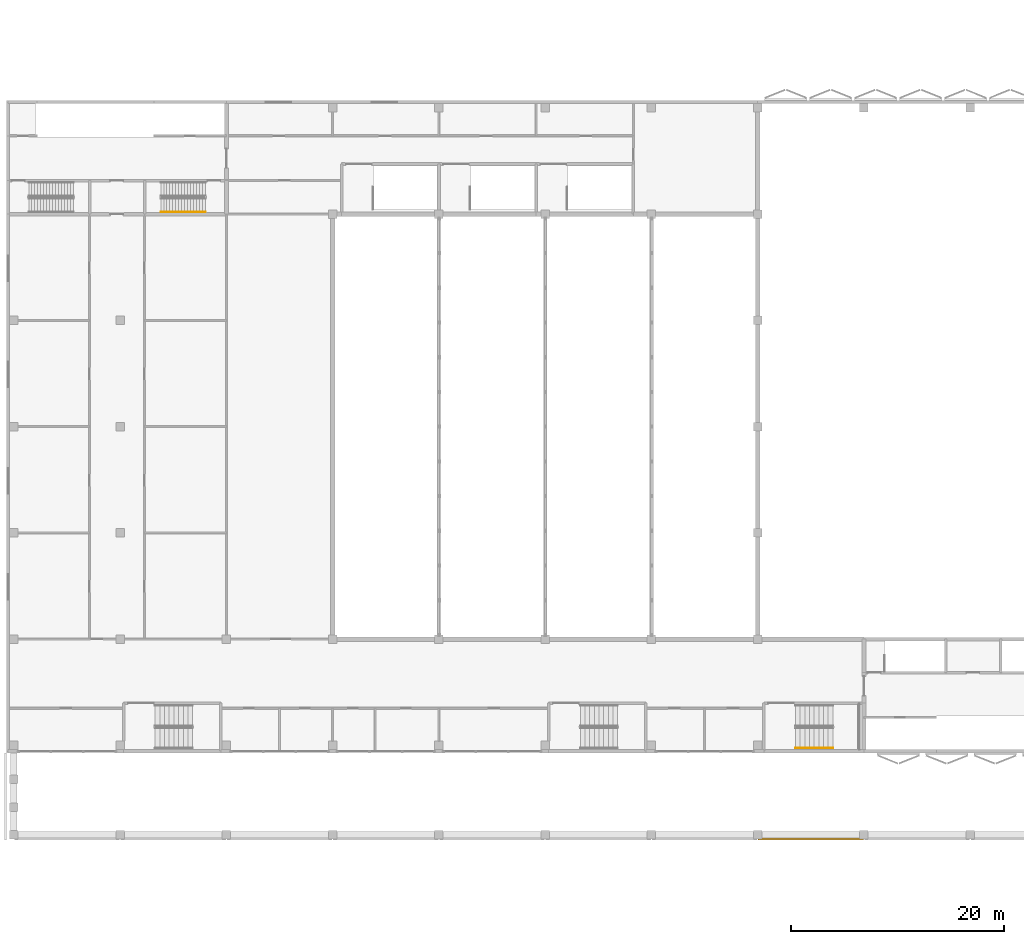
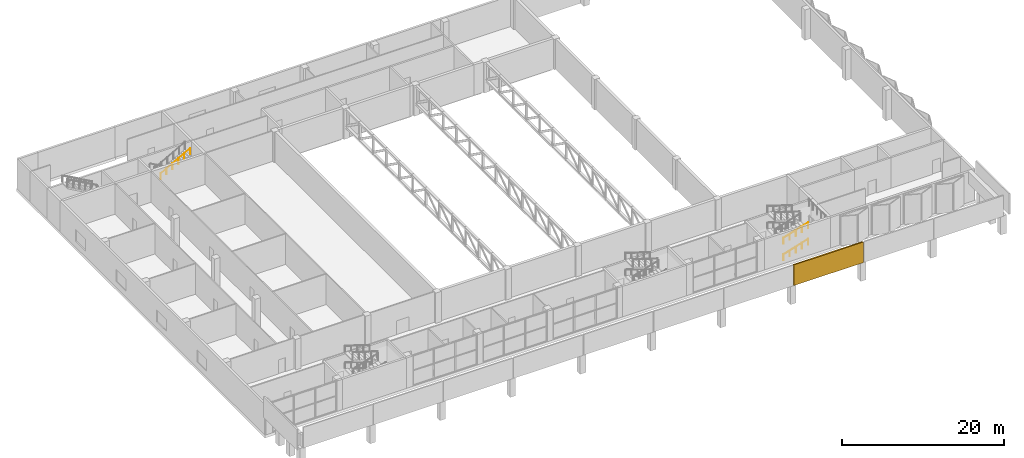
# One storey, part 32 of 36: 3 railings, 1 covering.
"""IFC4 building model written with IfcOpenShell, lengths in metres."""

from ifc_helpers import new_model, si_unit, direction, frame, origin, origin_2d, place, context, subcontext, project, spatial, rectangle, circle, extrude, material, layer, layer_set, type_object, element, save


model = new_model("IFC4")

# Units and contexts
model_context = context("Model", 3, precision=1e-05, world=origin(), true_north=direction((0.0, 1.0)))
body_context = subcontext(model_context, "Body", "Model", "MODEL_VIEW")
ifc_project = project(units=[si_unit("LENGTHUNIT", "METRE"), si_unit("AREAUNIT", "SQUARE_METRE"), si_unit("VOLUMEUNIT", "CUBIC_METRE"), si_unit("PLANEANGLEUNIT", "RADIAN"), si_unit("MASSUNIT", "GRAM", prefix="KILO")], contexts=[model_context])

# Site, building, storey
site_placement = place(None, origin())
site = spatial("IfcSite", under=ifc_project, at=site_placement, CompositionType="ELEMENT")
building_placement = place(site_placement, origin())
building = spatial("IfcBuilding", under=site, at=building_placement, Name="Jabali Bay Hotel Tower and Convention Centre", CompositionType="ELEMENT")
storey_placement = place(building_placement, frame((0.0, 0.0, 20.39990234375)))
storey = spatial("IfcBuildingStorey", under=building, at=storey_placement, Name="L03", CompositionType="ELEMENT", Elevation=20.39990234375)

# Covering
ifc_material_1 = material(Name="Precast concrete C40/50", Category="concrete")
ifc_layer = layer(ifc_material_1, 0.199951171875)
ifc_layer_set = layer_set([ifc_layer], Name="Precast concrete C40/50")
covering_type = type_object("IfcCoveringType", Name="CC South roof rim panel", PredefinedType="CLADDING", material=ifc_layer_set)
covering_placement = place(storey_placement, frame((225.699951171875, 41.199951171875, 2.7900390625), z_axis=(0.0, 0.0, 1.0), x_axis=(1.0, 0.0, 0.0)))
element("IfcCovering", 1, at=covering_placement, inside=storey, type_object=covering_type, Name="CC south roof rim 8", PredefinedType="CLADDING", context=body_context, shape_type="SweptSolid", body=[
    extrude(rectangle(XDim=9.89990234375, YDim=0.199951171875, at=origin_2d()), origin(), (0.0, 0.0, 1.0), 3.110107421875),
])

# Railings
ifc_material_2 = material(Name="Stainless steel 304", Category="steel")
railing_type = type_object("IfcRailingType", Name="CC Stair Handrail 900", PredefinedType="HANDRAIL", material=ifc_material_2)
railing_placement = place(storey_placement, frame((164.52490234375, 100.22509765625, 2.65625)))
element("IfcRailing", 2, at=railing_placement, inside=storey, type_object=railing_type, Name="L03 CC-STWB stair handrail 2", PredefinedType="HANDRAIL", context=body_context, shape_type="SweptSolid", body=[
    extrude(circle(Radius=0.02392578125, at=origin_2d()), frame((0.0, 0.0, 0.8759765625), z_axis=(0.873245923365, 0.0, 0.487279752633), x_axis=(0.0, 1.0, 0.0)), (0.0, 0.0, 1.0), 4.809814453125),
    extrude(circle(Radius=0.02099609375, at=origin_2d()), origin(), (0.0, 0.0, 1.0), 0.851806640625),
    extrude(circle(Radius=0.02099609375, at=origin_2d()), frame((0.840087890625, 0.0, 0.46875)), (0.0, 0.0, 1.0), 0.851806640625),
    extrude(circle(Radius=0.02099609375, at=origin_2d()), frame((1.68017578125, 0.0, 0.9375)), (0.0, 0.0, 1.0), 0.851806640625),
    extrude(circle(Radius=0.02099609375, at=origin_2d()), frame((2.52001953125, 0.0, 1.40625)), (0.0, 0.0, 1.0), 0.851806640625),
    extrude(circle(Radius=0.02099609375, at=origin_2d()), frame((3.360107421875, 0.0, 1.875)), (0.0, 0.0, 1.0), 0.851806640625),
    extrude(circle(Radius=0.02099609375, at=origin_2d()), frame((4.2001953125, 0.0, 2.34375)), (0.0, 0.0, 1.0), 0.851806640625),
])
for number, where, name in (
    (3, (224.25, 49.75, 0.138916015625), "L03 CC-STS3 stair handrail 1"),
    (4, (224.25, 49.75, 2.638916015625), "L03 CC-STS3 stair handrail 3"),
):
    element("IfcRailing", number, at=place(storey_placement, frame(where)), inside=storey, type_object=railing_type, Name=name, PredefinedType="HANDRAIL", context=body_context, shape_type="SweptSolid", body=[
        extrude(circle(Radius=0.02392578125, at=origin_2d()), frame((0.0, 0.0, 0.8759765625), z_axis=(0.953621642043, 0.0, 0.301007913229), x_axis=(0.0, 1.0, 0.0)), (0.0, 0.0, 1.0), 3.691162109375),
        extrude(circle(Radius=0.02099609375, at=origin_2d()), origin(), (0.0, 0.0, 1.0), 0.851806640625),
        extrude(circle(Radius=0.02099609375, at=origin_2d()), frame((0.8798828125, 0.0, 0.27783203125)), (0.0, 0.0, 1.0), 0.851806640625),
        extrude(circle(Radius=0.02099609375, at=origin_2d()), frame((1.760009765625, 0.0, 0.5556640625)), (0.0, 0.0, 1.0), 0.851806640625),
        extrude(circle(Radius=0.02099609375, at=origin_2d()), frame((2.64013671875, 0.0, 0.833251953125)), (0.0, 0.0, 1.0), 0.851806640625),
        extrude(circle(Radius=0.02099609375, at=origin_2d()), frame((3.52001953125, 0.0, 1.111083984375)), (0.0, 0.0, 1.0), 0.851806640625),
    ])

save(model, "model.ifc")
